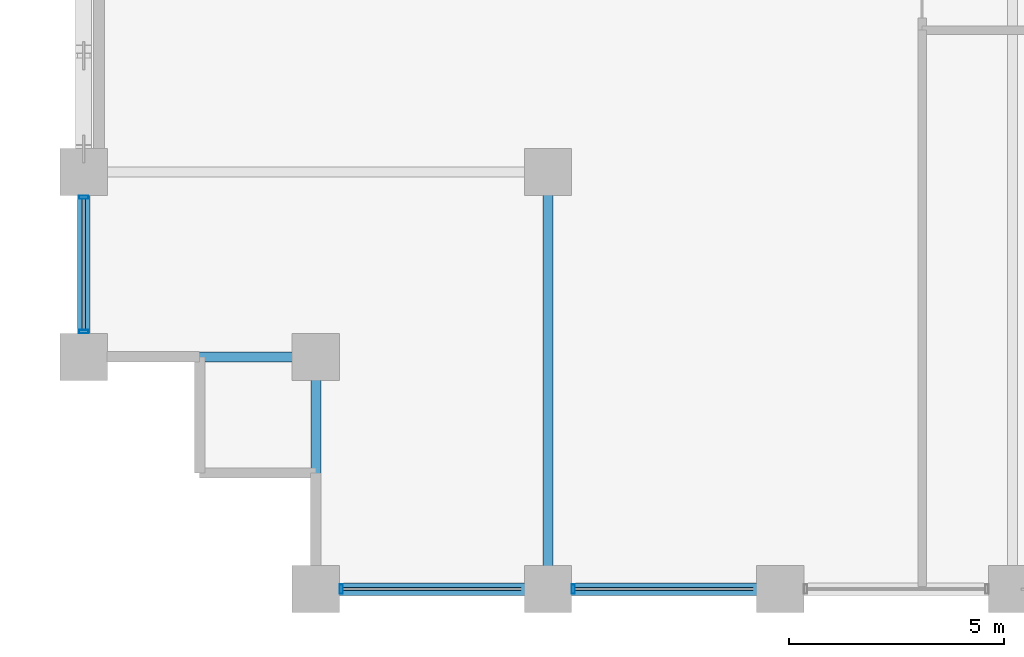
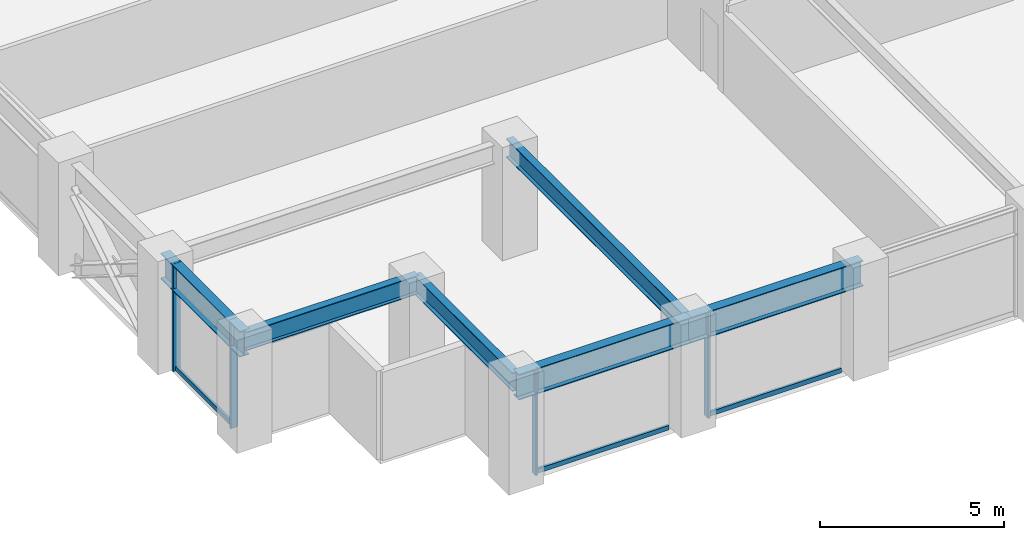
# One storey, part 2 of 25: 7 members, 6 beams, 2 elements without a shape of their own.
"""IFC4 building model written with IfcOpenShell, lengths in metres."""

from ifc_helpers import new_model, si_unit, direction, frame, origin, origin_2d, place, context, subcontext, project, spatial, hollow_rectangle, i_section, extrude, material, layer, layer_set, material_profile, profile_set, type_object, element, aggregate, save


model = new_model("IFC4")

# Units and contexts
model_context = context("Model", 3, precision=1e-05, world=origin(), true_north=direction((0.0, 1.0)))
body_context = subcontext(model_context, "Body", "Model", "MODEL_VIEW")
ifc_project = project(units=[si_unit("LENGTHUNIT", "METRE"), si_unit("AREAUNIT", "SQUARE_METRE"), si_unit("VOLUMEUNIT", "CUBIC_METRE"), si_unit("PLANEANGLEUNIT", "RADIAN"), si_unit("MASSUNIT", "GRAM", prefix="KILO")], contexts=[model_context])

# Site, building, storey
site_placement = place(None, origin())
site = spatial("IfcSite", under=ifc_project, at=site_placement, CompositionType="ELEMENT")
building_placement = place(site_placement, origin())
building = spatial("IfcBuilding", under=site, at=building_placement, Name="Surkhivell Harbour Commons", CompositionType="ELEMENT")
storey_placement = place(building_placement, frame((0.0, 0.0, 98.25)))
storey = spatial("IfcBuildingStorey", under=building, at=storey_placement, Name="L25", CompositionType="ELEMENT", Elevation=98.25)

# Beams
ifc_material_1 = material(Name="Steel S355", Category="steel")
ifc_material_profile_1 = material_profile(ifc_material_1, i_section(OverallWidth=0.22998046875, OverallDepth=0.616943359375, WebThickness=0.01318359375, FlangeThickness=0.022216796875, at=origin_2d()), Name="UB610x229x140")
ifc_profile_set_1 = profile_set([ifc_material_profile_1], Name="Steel S355")
beam_type_1 = type_object("IfcBeamType", Name="BM-GRD-610B", PredefinedType="BEAM", material=ifc_profile_set_1)
for number, where, z_axis, x_axis, name in (
    (1, (-32.39990234375, -20.5, 3.261474609375), (1.0, 0.0, 0.0), (0.0, 1.0, 0.0), "L25 Floor Girder (-32.4,-20.5)"),
    (2, (-27.0, -25.89990234375, 3.261474609375), (0.0, 1.0, 0.0), (-1.0, 0.0, 0.0), "L25 Floor Girder (-27.0,-25.9)"),
):
    element("IfcBeam", number, at=place(storey_placement, frame(where, z_axis=z_axis, x_axis=x_axis)), inside=storey, type_object=beam_type_1, Name=name, PredefinedType="BEAM", context=body_context, shape_type="SweptSolid", body=[
        extrude(i_section(OverallWidth=0.22998046875, OverallDepth=0.616943359375, WebThickness=0.01318359375, FlangeThickness=0.022216796875, at=origin_2d()), origin(), (0.0, 0.0, 1.0), 5.39990234375),
    ])
beam_1_placement = place(storey_placement, frame((-21.60009765625, -25.89990234375, 3.261474609375), z_axis=(0.0, 1.0, 0.0), x_axis=(-1.0, 0.0, 0.0)))
element("IfcBeam", 3, at=beam_1_placement, inside=storey, type_object=beam_type_1, Name="L25 Floor Girder (-21.6,-25.9)", PredefinedType="BEAM", context=body_context, shape_type="SweptSolid", body=[
    extrude(i_section(OverallWidth=0.22998046875, OverallDepth=0.616943359375, WebThickness=0.01318359375, FlangeThickness=0.022216796875, at=origin_2d()), origin(), (0.0, 0.0, 1.0), 9.699951171875),
])
ifc_material_2 = material(Name="Steel S460", Category="steel")
ifc_material_profile_2 = material_profile(ifc_material_2, i_section(OverallWidth=0.2939453125, OverallDepth=0.85107421875, WebThickness=0.01611328125, FlangeThickness=0.02685546875, at=origin_2d()), Name="UB838x292x226")
ifc_profile_set_2 = profile_set([ifc_material_profile_2], Name="Steel S460")
beam_type_2 = type_object("IfcBeamType", Name="BM-SPN-838", PredefinedType="SPANDREL", material=ifc_profile_set_2)
beam_2_placement = place(storey_placement, frame((-32.39990234375, -20.5, 3.14453125), z_axis=(0.0, 1.0, 0.0), x_axis=(-1.0, 0.0, 0.0)))
element("IfcBeam", 4, at=beam_2_placement, inside=storey, type_object=beam_type_2, Name="L25 Tube Spandrel (-32.4,-20.5)", PredefinedType="SPANDREL", context=body_context, shape_type="SweptSolid", body=[
    extrude(i_section(OverallWidth=0.2939453125, OverallDepth=0.85107421875, WebThickness=0.01611328125, FlangeThickness=0.02685546875, at=origin_2d()), origin(), (0.0, 0.0, 1.0), 4.300048828125),
])
beam_3_placement = place(storey_placement, frame((-27.0, -25.89990234375, 3.14453125), z_axis=(1.0, 0.0, 0.0), x_axis=(0.0, 1.0, 0.0)))
element("IfcBeam", 5, at=beam_3_placement, inside=storey, type_object=beam_type_2, Name="L25 Tube Spandrel (-27.0,-25.9)", PredefinedType="SPANDREL", context=body_context, shape_type="SweptSolid", body=[
    extrude(i_section(OverallWidth=0.2939453125, OverallDepth=0.85107421875, WebThickness=0.01611328125, FlangeThickness=0.02685546875, at=origin_2d()), origin(), (0.0, 0.0, 1.0), 5.39990234375),
])
beam_4_placement = place(storey_placement, frame((-21.60009765625, -25.89990234375, 3.14453125), z_axis=(1.0, 0.0, 0.0), x_axis=(0.0, 1.0, 0.0)))
element("IfcBeam", 6, at=beam_4_placement, inside=storey, type_object=beam_type_2, Name="L25 Tube Spandrel (-21.6,-25.9)", PredefinedType="SPANDREL", context=body_context, shape_type="SweptSolid", body=[
    extrude(i_section(OverallWidth=0.2939453125, OverallDepth=0.85107421875, WebThickness=0.01611328125, FlangeThickness=0.02685546875, at=origin_2d()), origin(), (0.0, 0.0, 1.0), 5.400146484375),
])

# Curtain wall, members
ifc_material_3 = material(Name="Anodised pale-metal aluminium and insulated glazing", Category="aluminium")
ifc_layer = layer(ifc_material_3, 0.205078125)
ifc_layer_set = layer_set([ifc_layer], Name="Anodised pale-metal aluminium and insulated glazing")
curtain_wall_type = type_object("IfcCurtainWallType", Name="CW-SYS-Z2", PredefinedType="NOTDEFINED", material=ifc_layer_set)
curtain_wall_1_placement = place(storey_placement, origin())
curtain_wall_1 = element("IfcCurtainWall", 7, at=curtain_wall_1_placement, inside=storey, type_object=curtain_wall_type, Name="L25 Curtain Wall CW-L25-E00S1", PredefinedType="NOTDEFINED")
ifc_material_4 = material(Name="Anodised pale-metal aluminium alloy 6063-T6", Category="aluminium")
ifc_material_profile_3 = material_profile(ifc_material_4, hollow_rectangle(XDim=0.074951171875, YDim=0.219970703125, WallThickness=0.00390625, at=origin_2d()), Name="ALU-MULL-75x220")
ifc_profile_set_3 = profile_set([ifc_material_profile_3], Name="Anodised pale-metal aluminium alloy 6063-T6")
member_type_1 = type_object("IfcMemberType", Name="CWM-220", PredefinedType="MULLION", material=ifc_profile_set_3)
member_1_placement = place(storey_placement, frame((-26.410400390625, -25.89990234375, 0.0), z_axis=(0.0, 0.0, 1.0), x_axis=(1.0, 0.0, 0.0)))
member_1 = element("IfcMember", 8, at=member_1_placement, type_object=member_type_1, Name="CW-Z2 mullion 1", PredefinedType="MULLION", context=body_context, shape_type="SweptSolid", body=[
    extrude(hollow_rectangle(XDim=0.074951171875, YDim=0.219970703125, WallThickness=0.00390625, at=origin_2d()), origin(), (0.0, 0.0, 1.0), 3.570068359375),
])
member_2_placement = place(storey_placement, frame((-21.010498046875, -25.89990234375, 0.0), z_axis=(0.0, 0.0, 1.0), x_axis=(1.0, 0.0, 0.0)))
member_2 = element("IfcMember", 9, at=member_2_placement, type_object=member_type_1, Name="CW-Z2 mullion 2", PredefinedType="MULLION", context=body_context, shape_type="SweptSolid", body=[
    extrude(hollow_rectangle(XDim=0.074951171875, YDim=0.219970703125, WallThickness=0.00390625, at=origin_2d()), origin(), (0.0, 0.0, 1.0), 3.570068359375),
])

curtain_wall_2_placement = place(storey_placement, origin())
curtain_wall_2 = element("IfcCurtainWall", 10, at=curtain_wall_2_placement, inside=storey, type_object=curtain_wall_type, Name="L25 Curtain Wall CW-L25-E12R1S1", PredefinedType="NOTDEFINED")
member_3_placement = place(storey_placement, frame((-32.39990234375, -19.910400390625, 0.0), z_axis=(0.0, 0.0, 1.0), x_axis=(0.0, 1.0, 0.0)))
member_3 = element("IfcMember", 11, at=member_3_placement, type_object=member_type_1, Name="CW-Z2 mullion 1", PredefinedType="MULLION", context=body_context, shape_type="SweptSolid", body=[
    extrude(hollow_rectangle(XDim=0.074951171875, YDim=0.219970703125, WallThickness=0.00390625, at=origin_2d()), origin(), (0.0, 0.0, 1.0), 3.570068359375),
])
member_4_placement = place(storey_placement, frame((-32.39990234375, -16.78955078125, 0.0), z_axis=(0.0, 0.0, 1.0), x_axis=(0.0, 1.0, 0.0)))
member_4 = element("IfcMember", 12, at=member_4_placement, type_object=member_type_1, Name="CW-Z2 mullion 2", PredefinedType="MULLION", context=body_context, shape_type="SweptSolid", body=[
    extrude(hollow_rectangle(XDim=0.074951171875, YDim=0.219970703125, WallThickness=0.00390625, at=origin_2d()), origin(), (0.0, 0.0, 1.0), 3.570068359375),
])

# Member
ifc_material_profile_4 = material_profile(ifc_material_4, hollow_rectangle(XDim=0.074951171875, YDim=0.14990234375, WallThickness=0.00341796875, at=origin_2d()), Name="ALU-TRAN-75x150")
ifc_profile_set_4 = profile_set([ifc_material_profile_4], Name="Anodised pale-metal aluminium alloy 6063-T6")
member_type_2 = type_object("IfcMemberType", Name="CWT-150", PredefinedType="USERDEFINED", material=ifc_profile_set_4)
member_5_placement = place(storey_placement, frame((-26.373046875, -25.89990234375, 0.074951171875), z_axis=(1.0, 0.0, 0.0), x_axis=(0.0, 1.0, 0.0)))
member_5 = element("IfcMember", 13, at=member_5_placement, type_object=member_type_2, Name="CW-Z2 transom 1.1", ObjectType="TRANSOM", PredefinedType="USERDEFINED", context=body_context, shape_type="SweptSolid", body=[
    extrude(hollow_rectangle(XDim=0.074951171875, YDim=0.14990234375, WallThickness=0.00341796875, at=origin_2d()), origin(), (0.0, 0.0, 1.0), 4.14599609375),
])

member_6_placement = place(storey_placement, frame((-20.972900390625, -25.89990234375, 0.074951171875), z_axis=(1.0, 0.0, 0.0), x_axis=(0.0, 1.0, 0.0)))
member_6 = element("IfcMember", 14, at=member_6_placement, type_object=member_type_2, Name="CW-Z2 transom 2.1", ObjectType="TRANSOM", PredefinedType="USERDEFINED", context=body_context, shape_type="SweptSolid", body=[
    extrude(hollow_rectangle(XDim=0.074951171875, YDim=0.14990234375, WallThickness=0.00341796875, at=origin_2d()), origin(), (0.0, 0.0, 1.0), 4.14599609375),
])

aggregate(curtain_wall_1, [member_1, member_5, member_2, member_6])

member_7_placement = place(storey_placement, frame((-32.39990234375, -19.873046875, 0.074951171875), z_axis=(0.0, 1.0, 0.0), x_axis=(-1.0, 0.0, 0.0)))
member_7 = element("IfcMember", 15, at=member_7_placement, type_object=member_type_2, Name="CW-Z2 transom 1.1", ObjectType="TRANSOM", PredefinedType="USERDEFINED", context=body_context, shape_type="SweptSolid", body=[
    extrude(hollow_rectangle(XDim=0.074951171875, YDim=0.14990234375, WallThickness=0.00341796875, at=origin_2d()), origin(), (0.0, 0.0, 1.0), 3.046142578125),
])

aggregate(curtain_wall_2, [member_3, member_4, member_7])

save(model, "model.ifc")
